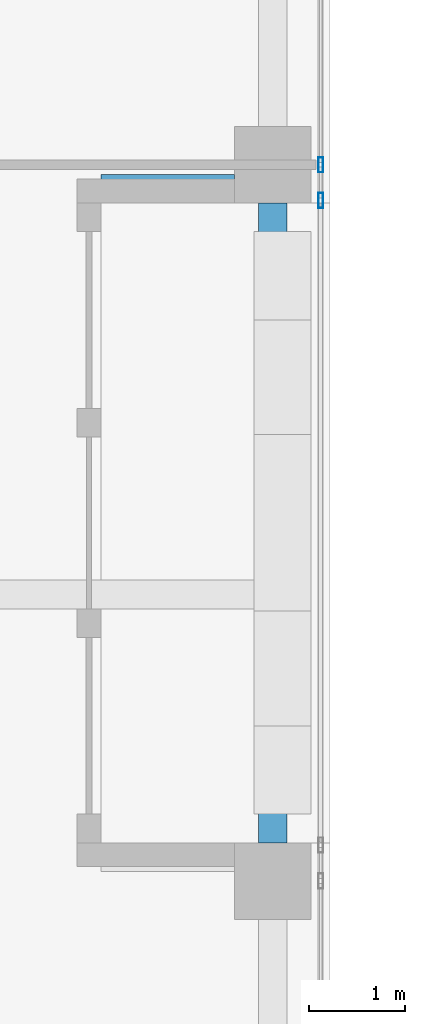
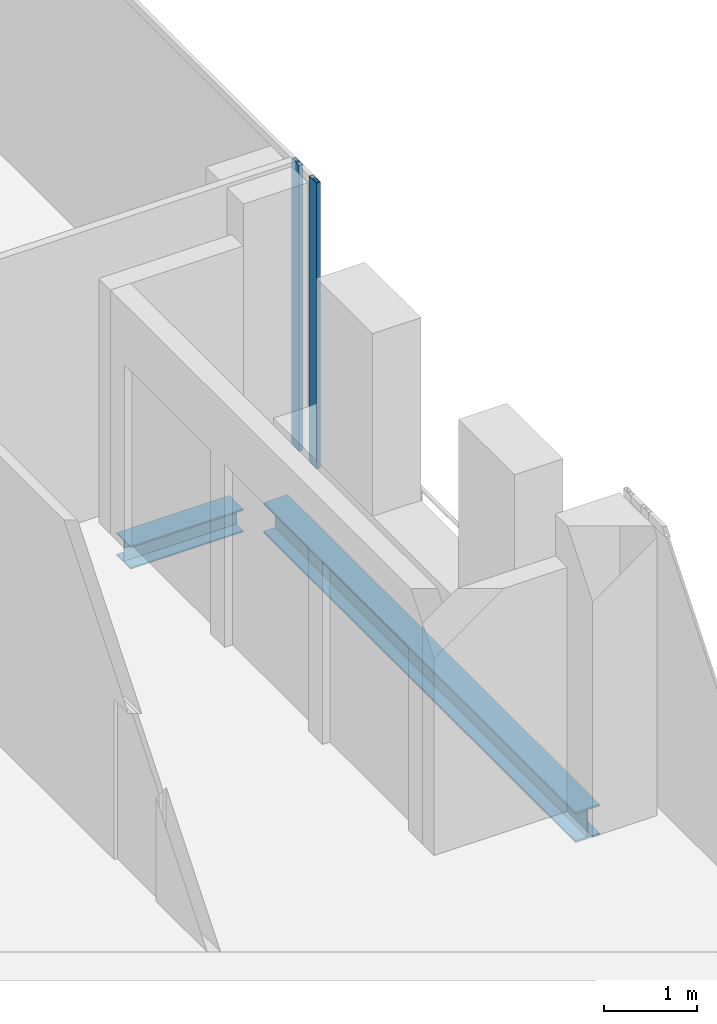
# One storey, part 10 of 29: 2 beams, 2 members, 1 element without a shape of its own.
"""IFC4 building model written with IfcOpenShell, lengths in metres."""

from ifc_helpers import new_model, si_unit, direction, frame, origin, origin_2d, place, context, subcontext, project, spatial, hollow_rectangle, i_section, extrude, source, transform, mapped, material, material_profile, profile_set, type_object, element, aggregate, save


model = new_model("IFC4")

# Units and contexts
model_context = context("Model", 3, precision=1e-05, world=origin(), true_north=direction((0.0, 1.0)))
body_context = subcontext(model_context, "Body", "Model", "MODEL_VIEW")
ifc_project = project(units=[si_unit("LENGTHUNIT", "METRE"), si_unit("AREAUNIT", "SQUARE_METRE"), si_unit("VOLUMEUNIT", "CUBIC_METRE"), si_unit("PLANEANGLEUNIT", "RADIAN"), si_unit("MASSUNIT", "GRAM", prefix="KILO")], contexts=[model_context])

# Site, building, storey
site_placement = place(None, origin())
site = spatial("IfcSite", under=ifc_project, at=site_placement, CompositionType="ELEMENT")
building_placement = place(site_placement, origin())
building = spatial("IfcBuilding", under=site, at=building_placement, Name="Khomas Fold Tower", CompositionType="ELEMENT")
storey_placement = place(building_placement, frame((0.0, 0.0, 290.199951171875)))
storey = spatial("IfcBuildingStorey", under=building, at=storey_placement, Name="L65", CompositionType="ELEMENT", Elevation=290.199951171875)

# Beams
ifc_material_1 = material(Name="Steel S355", Category="steel")
ifc_material_profile_1 = material_profile(ifc_material_1, i_section(OverallWidth=0.300048828125, OverallDepth=0.39990234375, WebThickness=0.013427734375, FlangeThickness=0.02392578125, at=origin_2d()), Name="HE 400 B")
ifc_profile_set_1 = profile_set([ifc_material_profile_1], Name="Steel S355")
beam_type_1 = type_object("IfcBeamType", Name="HE 400 B spandrel SB5", PredefinedType="SPANDREL", material=ifc_profile_set_1)
shared_shape_1 = source(origin(), body_context, "Body", "SweptSolid", [
    extrude(i_section(OverallWidth=0.300048828125, OverallDepth=0.39990234375, WebThickness=0.013427734375, FlangeThickness=0.02392578125, at=origin_2d()), origin(), (0.0, 0.0, 1.0), 6.7001953125),
])
beam_1_placement = place(storey_placement, frame((47.39990234375, 19.89990234375, -0.449951171875), z_axis=(0.0, 1.0, 0.0), x_axis=(-1.0, 0.0, 0.0)))
element("IfcBeam", 1, at=beam_1_placement, inside=storey, type_object=beam_type_1, Name="SB5", PredefinedType="SPANDREL", context=body_context, shape_type="MappedRepresentation", body=[
    mapped(shared_shape_1, transform((0.0, 0.0, 0.0))),
])
ifc_material_2 = material(Name="Steel S355", Category="steel")
ifc_material_profile_2 = material_profile(ifc_material_2, i_section(OverallWidth=0.300048828125, OverallDepth=0.300048828125, WebThickness=0.010986328125, FlangeThickness=0.01904296875, at=origin_2d()), Name="HE 300 B")
ifc_profile_set_2 = profile_set([ifc_material_profile_2], Name="Steel S355")
beam_type_2 = type_object("IfcBeamType", Name="HE 300 B beam BB1", PredefinedType="BEAM", material=ifc_profile_set_2)
shared_shape_2 = source(origin(), body_context, "Body", "SweptSolid", [
    extrude(i_section(OverallWidth=0.300048828125, OverallDepth=0.300048828125, WebThickness=0.010986328125, FlangeThickness=0.01904296875, at=origin_2d()), origin(), (0.0, 0.0, 1.0), 1.39990234375),
])
beam_2_placement = place(storey_placement, frame((45.60009765625, 26.75, -0.39990234375), z_axis=(1.0, 0.0, 0.0), x_axis=(0.0, 1.0, 0.0)))
element("IfcBeam", 2, at=beam_2_placement, inside=storey, type_object=beam_type_2, Name="BB1", PredefinedType="BEAM", context=body_context, shape_type="MappedRepresentation", body=[
    mapped(shared_shape_2, transform((0.0, 0.0, 0.0))),
])

# Curtain wall, members
ifc_material_3 = material(Name="Aluminium framed double glazing", Category="aluminium")
curtain_wall_type = type_object("IfcCurtainWallType", Name="SK-Unitised clear-glass wall, upper floors CW3", PredefinedType="NOTDEFINED", material=ifc_material_3)
curtain_wall_placement = place(storey_placement, origin())
curtain_wall = element("IfcCurtainWall", 3, at=curtain_wall_placement, inside=storey, type_object=curtain_wall_type, Name="CW3 run L65 03-1", PredefinedType="NOTDEFINED")
ifc_material_4 = material(Name="Aluminium", Category="aluminium")
ifc_material_profile_3 = material_profile(ifc_material_4, hollow_rectangle(XDim=0.050048828125, YDim=0.159912109375, WallThickness=0.00390625, at=origin_2d()), Name="SK-Unitised clear-glass wall, upper floors mullion CW3-M")
ifc_profile_set_3 = profile_set([ifc_material_profile_3], Name="Aluminium")
member_type = type_object("IfcMemberType", Name="SK-Unitised clear-glass wall, upper floors mullion CW3-M", PredefinedType="MULLION", material=ifc_profile_set_3)
shared_shape_3 = source(origin(), body_context, "Body", "SweptSolid", [
    extrude(hollow_rectangle(XDim=0.050048828125, YDim=0.159912109375, WallThickness=0.00390625, at=origin_2d()), origin(), (0.0, 0.0, 1.0), 3.75),
])
member_1_placement = place(storey_placement, frame((47.89990234375, 26.625, 0.0), z_axis=(0.0, 0.0, 1.0), x_axis=(-1.0, 0.0, 0.0)))
member_1 = element("IfcMember", 4, at=member_1_placement, type_object=member_type, Name="CW3 mullion 1", PredefinedType="MULLION", context=body_context, shape_type="MappedRepresentation", body=[
    mapped(shared_shape_3, transform((0.0, 0.0, 0.0))),
])
member_2_placement = place(storey_placement, frame((47.89990234375, 27.0, 0.0), z_axis=(0.0, 0.0, 1.0), x_axis=(-1.0, 0.0, 0.0)))
member_2 = element("IfcMember", 5, at=member_2_placement, type_object=member_type, Name="CW3 mullion 2", PredefinedType="MULLION", context=body_context, shape_type="MappedRepresentation", body=[
    mapped(shared_shape_3, transform((0.0, 0.0, 0.0))),
])
aggregate(curtain_wall, [member_1, member_2])

save(model, "model.ifc")
